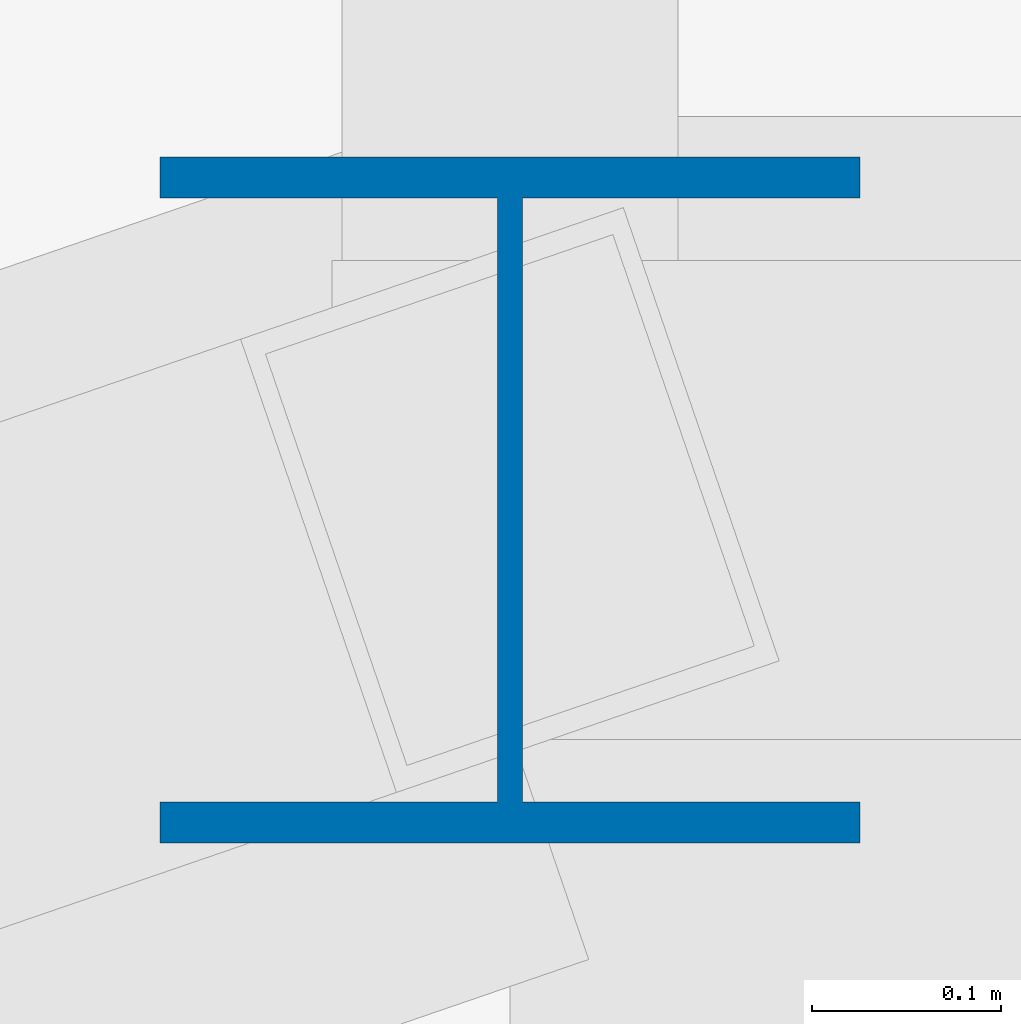
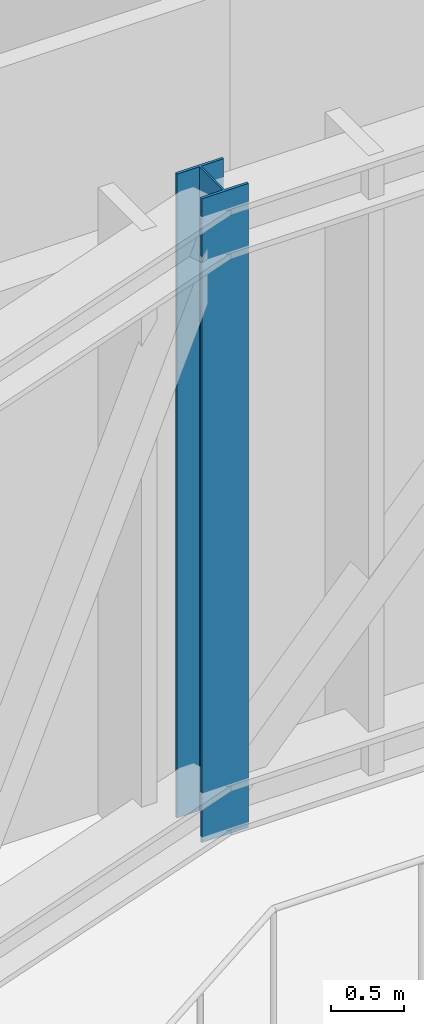
# One storey, part 2 of 30: 1 column.
"""IFC4 building model written with IfcOpenShell, lengths in metres."""

import ifcopenshell
import ifcopenshell.guid

model = None  # the IFC model being written
_history = None  # IfcOwnerHistory: only IFC2X3 demands one
_inside = {}  # id of a spatial element -> (the spatial element, [elements in it])
_under = {}  # id of a project, library or spatial element -> (it, [spatial elements below it])
_declared = {}  # id of a project -> (the project, [libraries it declares])
_typed = {}  # id of a type object -> (the type object, [elements of that type])
_made_of = {}  # id of a material, layer set ... -> (it, [elements and type objects made of it])


def new_model(schema):
    """Start an empty IFC model of exactly this schema.

    Asked for "IFC4X3", IfcOpenShell would pick the latest addendum, in which some entities
    have other attributes; the version numbers below select the first issue.
    IFC2X3 requires an IfcOwnerHistory on every rooted entity: one is made here for all.
    """
    global model, _history
    if schema == "IFC4X3":
        model = ifcopenshell.file(schema_version=(4, 3, 0, 0))
    else:
        model = ifcopenshell.file(schema=schema)
    _inside.clear()
    _under.clear()
    _declared.clear()
    _typed.clear()
    _made_of.clear()
    _history = None
    if model.schema == "IFC2X3":
        org = make("IfcOrganization", Name="unknown")
        user = make(
            "IfcPersonAndOrganization",
            ThePerson=make("IfcPerson", FamilyName="unknown"),
            TheOrganization=org,
        )
        app = make(
            "IfcApplication",
            ApplicationDeveloper=org,
            Version="unknown",
            ApplicationFullName="unknown",
            ApplicationIdentifier="unknown",
        )
        _history = make(
            "IfcOwnerHistory",
            OwningUser=user,
            OwningApplication=app,
            ChangeAction="ADDED",
            CreationDate=0,
        )
    return model


def make(cls, **values):
    """One entity of the class cls with the attributes given. An attribute that is None is left unset."""
    return model.create_entity(
        cls, **{name: value for name, value in values.items() if value is not None}
    )


def rooted(cls, **values):
    """An entity with a GlobalId (a new one), such as an element, a storey or a relation."""
    return make(cls, GlobalId=ifcopenshell.guid.new(), OwnerHistory=_history, **values)


def si_unit(unit_type, name, prefix=None):
    """IfcSIUnit, for example si_unit("LENGTHUNIT", "METRE", prefix="MILLI")."""
    return make("IfcSIUnit", UnitType=unit_type, Prefix=prefix, Name=name)


def assignment(units):
    """IfcUnitAssignment: the units of a project."""
    return None if units is None else make("IfcUnitAssignment", Units=units)


def point(xyz):
    """IfcCartesianPoint."""
    return None if xyz is None else make("IfcCartesianPoint", Coordinates=xyz)


def direction(xyz):
    """IfcDirection."""
    return None if xyz is None else make("IfcDirection", DirectionRatios=xyz)


def frame(location, z_axis=None, x_axis=None):
    """IfcAxis2Placement3D, a coordinate frame: its origin and axes. An axis left out is left unset."""
    return make(
        "IfcAxis2Placement3D",
        Location=point(location),
        Axis=direction(z_axis),
        RefDirection=direction(x_axis),
    )


def frame_2d(location, x_axis=None):
    """IfcAxis2Placement2D, a coordinate frame in the plane: its origin and x axis."""
    return make(
        "IfcAxis2Placement2D", Location=point(location), RefDirection=direction(x_axis)
    )


def origin():
    """The frame at (0, 0, 0) with its axes left unset."""
    return frame((0.0, 0.0, 0.0))


def origin_2d():
    """The frame at (0, 0) in the plane with its x axis left unset."""
    return frame_2d((0.0, 0.0))


def place(relative_to, where):
    """IfcLocalPlacement: puts the frame where relative to a parent placement (None: the world)."""
    return make(
        "IfcLocalPlacement", PlacementRelTo=relative_to, RelativePlacement=where
    )


def context(
    kind, dimensions, precision=None, world=None, true_north=None, identifier=None
):
    """IfcGeometricRepresentationContext, for example the 3D "Model" context."""
    return make(
        "IfcGeometricRepresentationContext",
        ContextIdentifier=identifier,
        ContextType=kind,
        CoordinateSpaceDimension=dimensions,
        Precision=precision,
        WorldCoordinateSystem=world,
        TrueNorth=true_north,
    )


def subcontext(parent, identifier, kind, view, scale=None):
    """IfcGeometricRepresentationSubContext, for example "Body" below "Model"."""
    return make(
        "IfcGeometricRepresentationSubContext",
        ContextIdentifier=identifier,
        ContextType=kind,
        ParentContext=parent,
        TargetScale=scale,
        TargetView=view,
    )


def project(units=None, contexts=None):
    """IfcProject with its units and contexts."""
    return rooted(
        "IfcProject",
        Name="project",
        RepresentationContexts=contexts,
        UnitsInContext=assignment(units),
    )


def spatial(cls, under=None, at=None, **own):
    """A site, building, storey or space (cls), placed at a placement, below another one or the project."""
    s = rooted(cls, ObjectPlacement=at, **own)
    if under is not None:
        _under.setdefault(under.id(), (under, []))[1].append(s)
    return s


def profile(cls, at=None, kind="AREA", **sizes):
    """A parametric profile (cls). Its sizes go by their IFC names, for example OverallWidth=200.0."""
    return make(cls, ProfileType=kind, Position=at, **sizes)


def i_section(**sizes):
    """IfcIShapeProfileDef."""
    return profile("IfcIShapeProfileDef", **sizes)


def extrude(swept, where, along, depth):
    """IfcExtrudedAreaSolid: the profile swept, set in the frame where, extruded along a direction by depth."""
    return make(
        "IfcExtrudedAreaSolid",
        SweptArea=swept,
        Position=where,
        ExtrudedDirection=direction(along),
        Depth=depth,
    )


def shape(context_of_items, identifier, shape_type, items):
    """IfcShapeRepresentation: the items that make up one representation, for example the "Body"."""
    return make(
        "IfcShapeRepresentation",
        ContextOfItems=context_of_items,
        RepresentationIdentifier=identifier,
        RepresentationType=shape_type,
        Items=items,
    )


def material(Name=None, Category=None):
    """IfcMaterial."""
    return make("IfcMaterial", Name=Name, Category=Category)


def material_profile(
    of_material, cross_section, Name=None, Category=None, Priority=None
):
    """IfcMaterialProfile: a cross section and its material."""
    return make(
        "IfcMaterialProfile",
        Name=Name,
        Material=of_material,
        Profile=cross_section,
        Priority=Priority,
        Category=Category,
    )


def profile_set(profiles, Name=None, composite=None):
    """IfcMaterialProfileSet."""
    return make(
        "IfcMaterialProfileSet",
        Name=Name,
        MaterialProfiles=profiles,
        CompositeProfile=composite,
    )


def made_of(thing, what):
    """Note that an element or type object is made of a material, layer set ...; save() writes the relation."""
    if what is not None:
        _made_of.setdefault(what.id(), (what, []))[1].append(thing)
    return thing


def type_object(cls, material=None, **own):
    """A type object (cls), such as IfcWallType, which elements share."""
    return made_of(rooted(cls, **own), material)


def element(
    cls,
    number,
    at=None,
    inside=None,
    cuts=None,
    type_object=None,
    material=None,
    context=None,
    identifier="Body",
    shape_type=None,
    held_by="IfcProductDefinitionShape",
    body=None,
    shapes=None,
    **own,
):
    """One element of the class cls, such as IfcWall. Its Tag is "e" and its number.

    at: its placement. inside: the storey or other place that contains it. cuts: it is an
    opening in that element (IfcRelVoidsElement). A single representation is given by context,
    identifier, shape_type and body (its items); several are given by shapes. held_by: the class
    of the entity that holds the representations. save() writes the other relations.
    """
    e = rooted(cls, Tag="e%d" % number, ObjectPlacement=at, **own)
    if body is not None:
        shapes = [shape(context, identifier, shape_type, body)]
    if shapes is not None:
        e.Representation = make(held_by, Representations=shapes)
    if inside is not None:
        _inside.setdefault(inside.id(), (inside, []))[1].append(e)
    if cuts is not None:
        rooted(
            "IfcRelVoidsElement", RelatingBuildingElement=cuts, RelatedOpeningElement=e
        )
    if type_object is not None:
        _typed.setdefault(type_object.id(), (type_object, []))[1].append(e)
    return made_of(e, material)


def aggregate(whole, parts):
    """IfcRelAggregates: a whole, such as a stair, and the parts it consists of."""
    return rooted("IfcRelAggregates", RelatingObject=whole, RelatedObjects=parts)


def save(model, path):
    """Write the relations noted so far, then the file.

    IfcRelAggregates (storeys below a building ...), IfcRelContainedInSpatialStructure (elements
    in a storey), IfcRelDefinesByType, IfcRelAssociatesMaterial and IfcRelDeclares: one each for
    every whole, place, type object, material and project.
    """
    for whole, parts in _under.values():
        aggregate(whole, parts)
    for where, things in _inside.values():
        rooted(
            "IfcRelContainedInSpatialStructure",
            RelatedElements=things,
            RelatingStructure=where,
        )
    for kind, things in _typed.values():
        rooted("IfcRelDefinesByType", RelatedObjects=things, RelatingType=kind)
    for what, things in _made_of.values():
        rooted("IfcRelAssociatesMaterial", RelatedObjects=things, RelatingMaterial=what)
    for by, libraries in _declared.values():
        rooted("IfcRelDeclares", RelatingContext=by, RelatedDefinitions=libraries)
    model.write(path)


model = new_model("IFC4")

# Units and contexts
model_context = context("Model", 3, precision=1e-05, world=origin(), true_north=direction((0.0, 1.0)))
body_context = subcontext(model_context, "Body", "Model", "MODEL_VIEW")
ifc_project = project(units=[si_unit("LENGTHUNIT", "METRE"), si_unit("AREAUNIT", "SQUARE_METRE"), si_unit("VOLUMEUNIT", "CUBIC_METRE"), si_unit("PLANEANGLEUNIT", "RADIAN"), si_unit("MASSUNIT", "GRAM", prefix="KILO")], contexts=[model_context])

# Site, building, storey
site_placement = place(None, origin())
site = spatial("IfcSite", under=ifc_project, at=site_placement, CompositionType="ELEMENT")
building_placement = place(site_placement, origin())
building = spatial("IfcBuilding", under=site, at=building_placement, Name="Bicima Exchange Tower", CompositionType="ELEMENT")
storey_placement = place(building_placement, frame((0.0, 0.0, 287.60009765625)))
storey = spatial("IfcBuildingStorey", under=building, at=storey_placement, Name="L65", CompositionType="ELEMENT", Elevation=287.60009765625)

# Column
ifc_material = material(Name="Steel ASTM A992 Gr 50", Category="steel")
ifc_material_profile = material_profile(ifc_material, i_section(OverallWidth=0.370849609375, OverallDepth=0.36328125, WebThickness=0.013427734375, FlangeThickness=0.021728515625, at=origin_2d()))
ifc_profile_set = profile_set([ifc_material_profile], Name="Steel ASTM A992 Gr 50")
column_type = type_object("IfcColumnType", Name="Perimeter column W14x109", PredefinedType="COLUMN", material=ifc_profile_set)
column_placement = place(storey_placement, frame((17.39990234375, -25.08203125, 0.0), z_axis=(0.0, 0.0, 1.0), x_axis=(1.0, 0.0, 0.0)))
element("IfcColumn", 1, at=column_placement, inside=storey, type_object=column_type, Name="Perimeter column grav+17.4f", PredefinedType="COLUMN", context=body_context, shape_type="SweptSolid", body=[
    extrude(i_section(OverallWidth=0.370849609375, OverallDepth=0.36328125, WebThickness=0.013427734375, FlangeThickness=0.021728515625, at=origin_2d()), origin(), (0.0, 0.0, 1.0), 5.39990234375),
])

save(model, "model.ifc")
